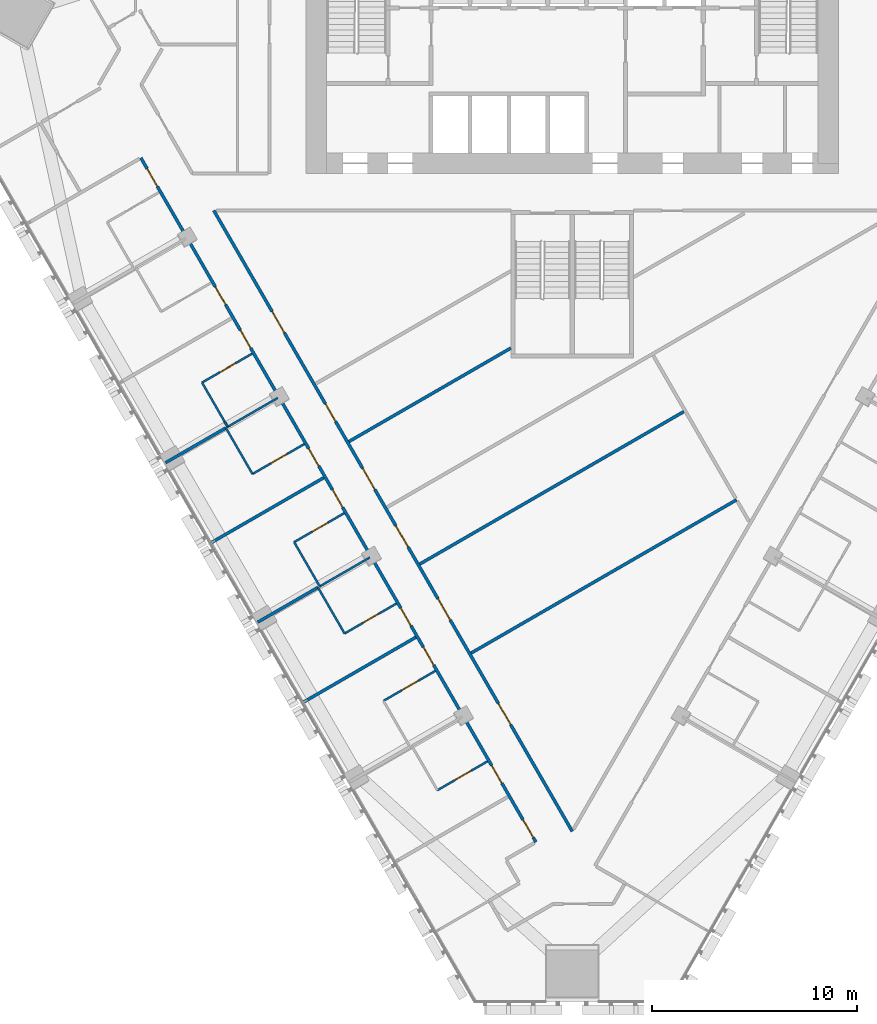
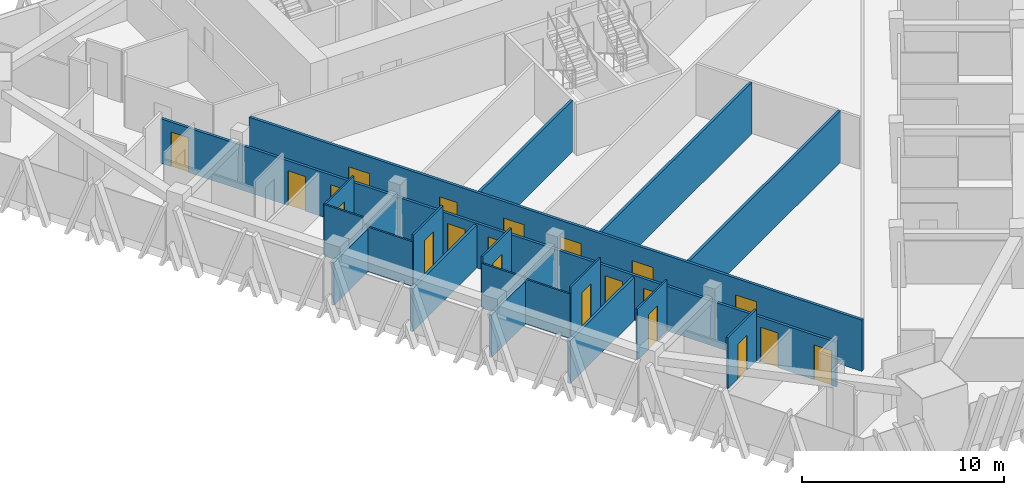
# One storey, part 10 of 18: 22 walls, 21 doors, 21 openings.
"""IFC4 building model written with IfcOpenShell, lengths in metres."""

from ifc_helpers import new_model, si_unit, direction, frame, frame_2d, origin, place, context, subcontext, project, spatial, rectangle, extrude, material, layer, layer_set, type_object, element, fill, save


model = new_model("IFC4")

# Units and contexts
model_context = context("Model", 3, precision=1e-05, world=origin(), true_north=direction((0.0, 1.0)))
body_context = subcontext(model_context, "Body", "Model", "MODEL_VIEW")
ifc_project = project(units=[si_unit("LENGTHUNIT", "METRE"), si_unit("AREAUNIT", "SQUARE_METRE"), si_unit("VOLUMEUNIT", "CUBIC_METRE"), si_unit("PLANEANGLEUNIT", "RADIAN"), si_unit("MASSUNIT", "GRAM", prefix="KILO")], contexts=[model_context])

# Site, building, storey
site_placement = place(None, origin())
site = spatial("IfcSite", under=ifc_project, at=site_placement, CompositionType="ELEMENT")
building_placement = place(site_placement, origin())
building = spatial("IfcBuilding", under=site, at=building_placement, Name="Altiplano Prism Tower", CompositionType="ELEMENT")
storey_placement = place(building_placement, frame((0.0, 0.0, 48.60009765625)))
storey = spatial("IfcBuildingStorey", under=building, at=storey_placement, Name="L11", CompositionType="ELEMENT", Elevation=48.60009765625)

# Walls
ifc_material_1 = material(Name="Plasterboard on steel stud", Category="steel")
ifc_layer_1 = layer(ifc_material_1, 0.10009765625)
ifc_layer_set_1 = layer_set([ifc_layer_1], Name="Plasterboard on steel stud")
wall_type_1 = type_object("IfcWallType", Name="Partition 100 unit", PredefinedType="PARTITIONING", material=ifc_layer_set_1)
wall_1_placement = place(storey_placement, frame((68.1611328125, 80.0283203125, 0.0), z_axis=(0.0, 0.0, 1.0), x_axis=(-0.500426713919, 0.865778900179, 0.0)))
element("IfcWall", 1, at=wall_1_placement, inside=storey, type_object=wall_type_1, Name="Partition P02 L11 057", PredefinedType="PARTITIONING", context=body_context, shape_type="SweptSolid", body=[
    extrude(rectangle(XDim=0.300048828125, YDim=0.10009765625, at=frame_2d((0.14990234375, 0.0))), origin(), (0.0, 0.0, 1.0), 2.699951171875),
])
wall_2_placement = place(storey_placement, frame((68.010986328125, 80.2880859375, 0.0), z_axis=(0.0, 0.0, 1.0), x_axis=(-0.499946605688, 0.86605622881, 0.0)))
element("IfcWall", 2, at=wall_2_placement, inside=storey, type_object=wall_type_1, Name="Partition P02 L11 058", PredefinedType="PARTITIONING", context=body_context, shape_type="SweptSolid", body=[
    extrude(rectangle(XDim=2.199951171875, YDim=0.10009765625, at=frame_2d((1.10009765625, 0.0))), origin(), (0.0, 0.0, 1.0), 3.099853515625),
])

# Wall, opening, door
wall_3_placement = place(storey_placement, frame((66.9111328125, 82.193359375, 0.0), z_axis=(0.0, 0.0, 1.0), x_axis=(0.866011447264, 0.500024172624, 0.0)))
wall_3 = element("IfcWall", 3, at=wall_3_placement, inside=storey, type_object=wall_type_1, Name="Partition P02 L11 059", PredefinedType="PARTITIONING", context=body_context, shape_type="SweptSolid", body=[
    extrude(rectangle(XDim=2.824951171875, YDim=0.10009765625, at=frame_2d((1.41259765625, 0.0))), origin(), (0.0, 0.0, 1.0), 3.099853515625),
])
opening_1_placement = place(wall_3_placement, frame((1.0, 0.0, 0.0)))
opening_1 = element("IfcOpeningElement", 4, at=opening_1_placement, cuts=wall_3, Name="Opening D0433", PredefinedType="OPENING", context=body_context, shape_type="SweptSolid", body=[
    extrude(rectangle(XDim=0.89990234375, YDim=2.10009765625, at=frame_2d((0.449951171875, 1.050048828125))), frame((0.0, 0.060546875, 0.0), z_axis=(0.0, -1.0, 0.0), x_axis=(1.0, 0.0, 0.0)), (0.0, 0.0, 1.0), 0.12109375),
])
ifc_material_2 = material(Name="Timber", Category="wood")
door_type_1 = type_object("IfcDoorType", Name="Ensuite door 900 x 2100", OperationType="NOTDEFINED", PredefinedType="NOTDEFINED", material=ifc_material_2)
door_1_placement = place(opening_1_placement, origin())
door_1 = element("IfcDoor", 5, at=door_1_placement, inside=storey, type_object=door_type_1, Name="Door D0433", OperationType="SINGLE_SWING_RIGHT", OverallHeight=2.10009765625, OverallWidth=0.89990234375, PredefinedType="NOTDEFINED", context=body_context, shape_type="SweptSolid", body=[
    extrude(rectangle(XDim=0.89990234375, YDim=2.10009765625, at=frame_2d((0.449951171875, 1.050048828125))), frame((0.0, 0.02490234375, 0.0), z_axis=(0.0, -1.0, 0.0), x_axis=(1.0, 0.0, 0.0)), (0.0, 0.0, 1.0), 0.050048828125),
])
fill(opening_1, door_1)

wall_4_placement = place(storey_placement, frame((71.90771484375, 79.189208984375, 0.0), z_axis=(0.0, 0.0, 1.0), x_axis=(-0.866046596414, -0.499963291492, 0.0)))
wall_4 = element("IfcWall", 6, at=wall_4_placement, inside=storey, type_object=wall_type_1, Name="Partition P02 L11 062", PredefinedType="PARTITIONING", context=body_context, shape_type="SweptSolid", body=[
    extrude(rectangle(XDim=2.925048828125, YDim=0.10009765625, at=frame_2d((1.46240234375, 0.0))), origin(), (0.0, 0.0, 1.0), 3.099853515625),
])
opening_2_placement = place(wall_4_placement, frame((0.97509765625, 0.0, 0.0)))
opening_2 = element("IfcOpeningElement", 7, at=opening_2_placement, cuts=wall_4, Name="Opening D0435", PredefinedType="OPENING", context=body_context, shape_type="SweptSolid", body=[
    extrude(rectangle(XDim=0.89990234375, YDim=2.10009765625, at=frame_2d((0.449951171875, 1.050048828125))), frame((0.0, 0.060546875, 0.0), z_axis=(0.0, -1.0, 0.0), x_axis=(1.0, 0.0, 0.0)), (0.0, 0.0, 1.0), 0.12109375),
])
door_2_placement = place(opening_2_placement, origin())
door_2 = element("IfcDoor", 8, at=door_2_placement, inside=storey, type_object=door_type_1, Name="Door D0435", OperationType="SINGLE_SWING_LEFT", OverallHeight=2.10009765625, OverallWidth=0.89990234375, PredefinedType="NOTDEFINED", context=body_context, shape_type="SweptSolid", body=[
    extrude(rectangle(XDim=0.89990234375, YDim=2.10009765625, at=frame_2d((0.449951171875, 1.050048828125))), frame((0.0, 0.02490234375, 0.0), z_axis=(0.0, -1.0, 0.0), x_axis=(1.0, 0.0, 0.0)), (0.0, 0.0, 1.0), 0.050048828125),
])
fill(opening_2, door_2)

# Walls
wall_5_placement = place(storey_placement, frame((69.37451171875, 77.726806640625, 0.0), z_axis=(0.0, 0.0, 1.0), x_axis=(-0.500047596559, 0.865997922154, 0.0)))
element("IfcWall", 9, at=wall_5_placement, inside=storey, type_object=wall_type_1, Name="Partition P02 L11 063", PredefinedType="PARTITIONING", context=body_context, shape_type="SweptSolid", body=[
    extrude(rectangle(XDim=2.599853515625, YDim=0.10009765625, at=frame_2d((1.2998046875, 0.0))), origin(), (0.0, 0.0, 1.0), 2.699951171875),
])
wall_6_placement = place(storey_placement, frame((72.6611328125, 72.234130859375, 0.0), z_axis=(0.0, 0.0, 1.0), x_axis=(-0.500004234368, 0.866022959057, 0.0)))
element("IfcWall", 10, at=wall_6_placement, inside=storey, type_object=wall_type_1, Name="Partition P02 L11 065", PredefinedType="PARTITIONING", context=body_context, shape_type="SweptSolid", body=[
    extrude(rectangle(XDim=2.5, YDim=0.10009765625, at=frame_2d((1.25, 0.0))), origin(), (0.0, 0.0, 1.0), 2.699951171875),
])

# Wall, opening, door
wall_7_placement = place(storey_placement, frame((71.4111328125, 74.399169921875, 0.0), z_axis=(0.0, 0.0, 1.0), x_axis=(0.866011447264, 0.500024172624, 0.0)))
wall_7 = element("IfcWall", 11, at=wall_7_placement, inside=storey, type_object=wall_type_1, Name="Partition P02 L11 066", PredefinedType="PARTITIONING", context=body_context, shape_type="SweptSolid", body=[
    extrude(rectangle(XDim=2.824951171875, YDim=0.10009765625, at=frame_2d((1.41259765625, 0.0))), origin(), (0.0, 0.0, 1.0), 3.099853515625),
])
opening_3_placement = place(wall_7_placement, frame((1.0, 0.0, 0.0)))
opening_3 = element("IfcOpeningElement", 12, at=opening_3_placement, cuts=wall_7, Name="Opening D0437", PredefinedType="OPENING", context=body_context, shape_type="SweptSolid", body=[
    extrude(rectangle(XDim=0.89990234375, YDim=2.10009765625, at=frame_2d((0.449951171875, 1.050048828125))), frame((0.0, 0.060546875, 0.0), z_axis=(0.0, -1.0, 0.0), x_axis=(1.0, 0.0, 0.0)), (0.0, 0.0, 1.0), 0.12109375),
])
door_3_placement = place(opening_3_placement, origin())
door_3 = element("IfcDoor", 13, at=door_3_placement, inside=storey, type_object=door_type_1, Name="Door D0437", OperationType="SINGLE_SWING_RIGHT", OverallHeight=2.10009765625, OverallWidth=0.89990234375, PredefinedType="NOTDEFINED", context=body_context, shape_type="SweptSolid", body=[
    extrude(rectangle(XDim=0.89990234375, YDim=2.10009765625, at=frame_2d((0.449951171875, 1.050048828125))), frame((0.0, 0.02490234375, 0.0), z_axis=(0.0, -1.0, 0.0), x_axis=(1.0, 0.0, 0.0)), (0.0, 0.0, 1.0), 0.050048828125),
])
fill(opening_3, door_3)

wall_8_placement = place(storey_placement, frame((76.40771484375, 71.39501953125, 0.0), z_axis=(0.0, 0.0, 1.0), x_axis=(-0.866046596414, -0.499963291492, 0.0)))
wall_8 = element("IfcWall", 14, at=wall_8_placement, inside=storey, type_object=wall_type_1, Name="Partition P02 L11 069", PredefinedType="PARTITIONING", context=body_context, shape_type="SweptSolid", body=[
    extrude(rectangle(XDim=2.925048828125, YDim=0.10009765625, at=frame_2d((1.46240234375, 0.0))), origin(), (0.0, 0.0, 1.0), 3.099853515625),
])
opening_4_placement = place(wall_8_placement, frame((0.97509765625, 0.0, 0.0)))
opening_4 = element("IfcOpeningElement", 15, at=opening_4_placement, cuts=wall_8, Name="Opening D0439", PredefinedType="OPENING", context=body_context, shape_type="SweptSolid", body=[
    extrude(rectangle(XDim=0.89990234375, YDim=2.10009765625, at=frame_2d((0.449951171875, 1.050048828125))), frame((0.0, 0.060546875, 0.0), z_axis=(0.0, -1.0, 0.0), x_axis=(1.0, 0.0, 0.0)), (0.0, 0.0, 1.0), 0.12109375),
])
door_4_placement = place(opening_4_placement, origin())
door_4 = element("IfcDoor", 16, at=door_4_placement, inside=storey, type_object=door_type_1, Name="Door D0439", OperationType="SINGLE_SWING_RIGHT", OverallHeight=2.10009765625, OverallWidth=0.89990234375, PredefinedType="NOTDEFINED", context=body_context, shape_type="SweptSolid", body=[
    extrude(rectangle(XDim=0.89990234375, YDim=2.10009765625, at=frame_2d((0.449951171875, 1.050048828125))), frame((0.0, 0.02490234375, 0.0), z_axis=(0.0, -1.0, 0.0), x_axis=(1.0, 0.0, 0.0)), (0.0, 0.0, 1.0), 0.050048828125),
])
fill(opening_4, door_4)

# Wall
wall_9_placement = place(storey_placement, frame((73.87451171875, 69.9326171875, 0.0), z_axis=(0.0, 0.0, 1.0), x_axis=(-0.500047596559, 0.865997922154, 0.0)))
element("IfcWall", 17, at=wall_9_placement, inside=storey, type_object=wall_type_1, Name="Partition P02 L11 070", PredefinedType="PARTITIONING", context=body_context, shape_type="SweptSolid", body=[
    extrude(rectangle(XDim=2.599853515625, YDim=0.10009765625, at=frame_2d((1.2998046875, 0.0))), origin(), (0.0, 0.0, 1.0), 2.699951171875),
])

# Wall, opening, door
wall_10_placement = place(storey_placement, frame((75.7744140625, 66.6416015625, 0.0), z_axis=(0.0, 0.0, 1.0), x_axis=(0.866046596414, 0.499963291492, 0.0)))
wall_10 = element("IfcWall", 18, at=wall_10_placement, inside=storey, type_object=wall_type_1, Name="Partition P02 L11 073", PredefinedType="PARTITIONING", context=body_context, shape_type="SweptSolid", body=[
    extrude(rectangle(XDim=2.925048828125, YDim=0.10009765625, at=frame_2d((1.46240234375, 0.0))), origin(), (0.0, 0.0, 1.0), 3.099853515625),
])
opening_5_placement = place(wall_10_placement, frame((1.050048828125, 0.0, 0.0)))
opening_5 = element("IfcOpeningElement", 19, at=opening_5_placement, cuts=wall_10, Name="Opening D0441", PredefinedType="OPENING", context=body_context, shape_type="SweptSolid", body=[
    extrude(rectangle(XDim=0.89990234375, YDim=2.10009765625, at=frame_2d((0.449951171875, 1.050048828125))), frame((0.0, 0.060546875, 0.0), z_axis=(0.0, -1.0, 0.0), x_axis=(1.0, 0.0, 0.0)), (0.0, 0.0, 1.0), 0.12109375),
])
door_5_placement = place(opening_5_placement, origin())
door_5 = element("IfcDoor", 20, at=door_5_placement, inside=storey, type_object=door_type_1, Name="Door D0441", OperationType="SINGLE_SWING_RIGHT", OverallHeight=2.10009765625, OverallWidth=0.89990234375, PredefinedType="NOTDEFINED", context=body_context, shape_type="SweptSolid", body=[
    extrude(rectangle(XDim=0.89990234375, YDim=2.10009765625, at=frame_2d((0.449951171875, 1.050048828125))), frame((0.0, 0.02490234375, 0.0), z_axis=(0.0, -1.0, 0.0), x_axis=(1.0, 0.0, 0.0)), (0.0, 0.0, 1.0), 0.050048828125),
])
fill(opening_5, door_5)

wall_11_placement = place(storey_placement, frame((80.857666015625, 63.687255859375, 0.0), z_axis=(0.0, 0.0, 1.0), x_axis=(-0.866048868473, -0.499959355765, 0.0)))
wall_11 = element("IfcWall", 21, at=wall_11_placement, inside=storey, type_object=wall_type_1, Name="Partition P02 L11 076", PredefinedType="PARTITIONING", context=body_context, shape_type="SweptSolid", body=[
    extrude(rectangle(XDim=2.824951171875, YDim=0.10009765625, at=frame_2d((1.41259765625, 0.0))), origin(), (0.0, 0.0, 1.0), 3.099853515625),
])
opening_6_placement = place(wall_11_placement, frame((0.925048828125, 0.0, 0.0)))
opening_6 = element("IfcOpeningElement", 22, at=opening_6_placement, cuts=wall_11, Name="Opening D0443", PredefinedType="OPENING", context=body_context, shape_type="SweptSolid", body=[
    extrude(rectangle(XDim=0.89990234375, YDim=2.10009765625, at=frame_2d((0.449951171875, 1.050048828125))), frame((0.0, 0.060546875, 0.0), z_axis=(0.0, -1.0, 0.0), x_axis=(1.0, 0.0, 0.0)), (0.0, 0.0, 1.0), 0.12109375),
])
door_6_placement = place(opening_6_placement, origin())
door_6 = element("IfcDoor", 23, at=door_6_placement, inside=storey, type_object=door_type_1, Name="Door D0443", OperationType="SINGLE_SWING_RIGHT", OverallHeight=2.10009765625, OverallWidth=0.89990234375, PredefinedType="NOTDEFINED", context=body_context, shape_type="SweptSolid", body=[
    extrude(rectangle(XDim=0.89990234375, YDim=2.10009765625, at=frame_2d((0.449951171875, 1.050048828125))), frame((0.0, 0.02490234375, 0.0), z_axis=(0.0, -1.0, 0.0), x_axis=(1.0, 0.0, 0.0)), (0.0, 0.0, 1.0), 0.050048828125),
])
fill(opening_6, door_6)

# Walls
ifc_layer_2 = layer(ifc_material_1, 0.10009765625)
ifc_layer_set_2 = layer_set([ifc_layer_2], Name="Plasterboard on steel stud")
wall_type_2 = type_object("IfcWallType", Name="Partition 100 wet", PredefinedType="PARTITIONING", material=ifc_layer_set_2)
for number, where, z_axis, x_axis, name in (
    (24, (68.143798828125, 80.018310546875, 0.0), (0.0, 0.0, 1.0), (0.866011243319, 0.500024525844, 0.0), "Partition P03 L11 061"),
    (25, (72.643798828125, 72.22412109375, 0.0), (0.0, 0.0, 1.0), (0.866011243319, 0.500024525844, 0.0), "Partition P03 L11 068"),
):
    element("IfcWall", number, at=place(storey_placement, frame(where, z_axis=z_axis, x_axis=x_axis)), inside=storey, type_object=wall_type_2, Name=name, PredefinedType="PARTITIONING", context=body_context, shape_type="SweptSolid", body=[
        extrude(rectangle(XDim=2.844970703125, YDim=0.10009765625, at=frame_2d((1.42236328125, 0.0))), origin(), (0.0, 0.0, 1.0), 2.699951171875),
    ])

# Wall, openings, doors
ifc_layer_3 = layer(ifc_material_1, 0.14990234375)
ifc_layer_set_3 = layer_set([ifc_layer_3], Name="Plasterboard on steel stud")
wall_type_3 = type_object("IfcWallType", Name="Partition 150 corridor", PredefinedType="PARTITIONING", material=ifc_layer_set_3)
wall_12_placement = place(storey_placement, frame((63.922607421875, 93.169677734375, 0.0), z_axis=(0.0, 0.0, 1.0), x_axis=(0.500002225217, -0.866024119051, 0.0)))
wall_12 = element("IfcWall", 26, at=wall_12_placement, inside=storey, type_object=wall_type_3, Name="Partition P06 L11 015", PredefinedType="PARTITIONING", context=body_context, shape_type="SweptSolid", body=[
    extrude(rectangle(XDim=38.599853515625, YDim=0.14990234375, at=frame_2d((19.2998046875, 0.0))), origin(), (0.0, 0.0, 1.0), 2.699951171875),
])
opening_7_placement = place(wall_12_placement, frame((0.60498046875, 0.0, 0.0)))
opening_7 = element("IfcOpeningElement", 27, at=opening_7_placement, cuts=wall_12, Name="Opening D0428", PredefinedType="OPENING", context=body_context, shape_type="SweptSolid", body=[
    extrude(rectangle(XDim=1.0, YDim=2.10009765625, at=frame_2d((0.5, 1.050048828125))), frame((0.0, 0.08544921875, 0.0), z_axis=(0.0, -1.0, 0.0), x_axis=(1.0, 0.0, 0.0)), (0.0, 0.0, 1.0), 0.1708984375),
])
opening_8_placement = place(wall_12_placement, frame((7.280029296875, 0.0, 0.0)))
opening_8 = element("IfcOpeningElement", 28, at=opening_8_placement, cuts=wall_12, Name="Opening D0430", PredefinedType="OPENING", context=body_context, shape_type="SweptSolid", body=[
    extrude(rectangle(XDim=1.0, YDim=2.10009765625, at=frame_2d((0.5, 1.050048828125))), frame((0.0, 0.08544921875, 0.0), z_axis=(0.0, -1.0, 0.0), x_axis=(1.0, 0.0, 0.0)), (0.0, 0.0, 1.0), 0.1708984375),
])
opening_9_placement = place(wall_12_placement, frame((9.719970703125, 0.0, 0.0)))
opening_9 = element("IfcOpeningElement", 29, at=opening_9_placement, cuts=wall_12, Name="Opening D0432", PredefinedType="OPENING", context=body_context, shape_type="SweptSolid", body=[
    extrude(rectangle(XDim=1.0, YDim=2.10009765625, at=frame_2d((0.5, 1.050048828125))), frame((0.0, 0.08544921875, 0.0), z_axis=(0.0, -1.0, 0.0), x_axis=(1.0, 0.0, 0.0)), (0.0, 0.0, 1.0), 0.1708984375),
])
opening_10_placement = place(wall_12_placement, frame((16.39501953125, 0.0, 0.0)))
opening_10 = element("IfcOpeningElement", 30, at=opening_10_placement, cuts=wall_12, Name="Opening D0434", PredefinedType="OPENING", context=body_context, shape_type="SweptSolid", body=[
    extrude(rectangle(XDim=1.0, YDim=2.10009765625, at=frame_2d((0.5, 1.050048828125))), frame((0.0, 0.08544921875, 0.0), z_axis=(0.0, -1.0, 0.0), x_axis=(1.0, 0.0, 0.0)), (0.0, 0.0, 1.0), 0.1708984375),
])
opening_11_placement = place(wall_12_placement, frame((18.719970703125, 0.0, 0.0)))
opening_11 = element("IfcOpeningElement", 31, at=opening_11_placement, cuts=wall_12, Name="Opening D0436", PredefinedType="OPENING", context=body_context, shape_type="SweptSolid", body=[
    extrude(rectangle(XDim=1.0, YDim=2.10009765625, at=frame_2d((0.5, 1.050048828125))), frame((0.0, 0.08544921875, 0.0), z_axis=(0.0, -1.0, 0.0), x_axis=(1.0, 0.0, 0.0)), (0.0, 0.0, 1.0), 0.1708984375),
])
opening_12_placement = place(wall_12_placement, frame((25.39501953125, 0.0, 0.0)))
opening_12 = element("IfcOpeningElement", 32, at=opening_12_placement, cuts=wall_12, Name="Opening D0438", PredefinedType="OPENING", context=body_context, shape_type="SweptSolid", body=[
    extrude(rectangle(XDim=1.0, YDim=2.10009765625, at=frame_2d((0.5, 1.050048828125))), frame((0.0, 0.08544921875, 0.0), z_axis=(0.0, -1.0, 0.0), x_axis=(1.0, 0.0, 0.0)), (0.0, 0.0, 1.0), 0.1708984375),
])
opening_13_placement = place(wall_12_placement, frame((27.60498046875, 0.0, 0.0)))
opening_13 = element("IfcOpeningElement", 33, at=opening_13_placement, cuts=wall_12, Name="Opening D0440", PredefinedType="OPENING", context=body_context, shape_type="SweptSolid", body=[
    extrude(rectangle(XDim=1.0, YDim=2.10009765625, at=frame_2d((0.5, 1.050048828125))), frame((0.0, 0.08544921875, 0.0), z_axis=(0.0, -1.0, 0.0), x_axis=(1.0, 0.0, 0.0)), (0.0, 0.0, 1.0), 0.1708984375),
])
opening_14_placement = place(wall_12_placement, frame((34.280029296875, 0.0, 0.0)))
opening_14 = element("IfcOpeningElement", 34, at=opening_14_placement, cuts=wall_12, Name="Opening D0442", PredefinedType="OPENING", context=body_context, shape_type="SweptSolid", body=[
    extrude(rectangle(XDim=1.0, YDim=2.10009765625, at=frame_2d((0.5, 1.050048828125))), frame((0.0, 0.08544921875, 0.0), z_axis=(0.0, -1.0, 0.0), x_axis=(1.0, 0.0, 0.0)), (0.0, 0.0, 1.0), 0.1708984375),
])
opening_15_placement = place(wall_12_placement, frame((37.342041015625, 0.0, 0.0)))
opening_15 = element("IfcOpeningElement", 35, at=opening_15_placement, cuts=wall_12, Name="Opening D0444", PredefinedType="OPENING", context=body_context, shape_type="SweptSolid", body=[
    extrude(rectangle(XDim=1.0, YDim=2.10009765625, at=frame_2d((0.5, 1.050048828125))), frame((0.0, 0.08544921875, 0.0), z_axis=(0.0, -1.0, 0.0), x_axis=(1.0, 0.0, 0.0)), (0.0, 0.0, 1.0), 0.1708984375),
])
door_type_2 = type_object("IfcDoorType", Name="Bedroom entrance door 1000 x 2100", OperationType="NOTDEFINED", PredefinedType="NOTDEFINED", material=ifc_material_2)
door_7_placement = place(opening_7_placement, origin())
door_7 = element("IfcDoor", 36, at=door_7_placement, inside=storey, type_object=door_type_2, Name="Door D0428", OperationType="SINGLE_SWING_RIGHT", OverallHeight=2.10009765625, OverallWidth=1.0, PredefinedType="NOTDEFINED", context=body_context, shape_type="SweptSolid", body=[
    extrude(rectangle(XDim=1.0, YDim=2.10009765625, at=frame_2d((0.5, 1.050048828125))), frame((0.0, 0.02490234375, 0.0), z_axis=(0.0, -1.0, 0.0), x_axis=(1.0, 0.0, 0.0)), (0.0, 0.0, 1.0), 0.050048828125),
])
fill(opening_7, door_7)
door_8_placement = place(opening_8_placement, origin())
door_8 = element("IfcDoor", 37, at=door_8_placement, inside=storey, type_object=door_type_2, Name="Door D0430", OperationType="SINGLE_SWING_RIGHT", OverallHeight=2.10009765625, OverallWidth=1.0, PredefinedType="NOTDEFINED", context=body_context, shape_type="SweptSolid", body=[
    extrude(rectangle(XDim=1.0, YDim=2.10009765625, at=frame_2d((0.5, 1.050048828125))), frame((0.0, 0.02490234375, 0.0), z_axis=(0.0, -1.0, 0.0), x_axis=(1.0, 0.0, 0.0)), (0.0, 0.0, 1.0), 0.050048828125),
])
fill(opening_8, door_8)
door_9_placement = place(opening_9_placement, origin())
door_9 = element("IfcDoor", 38, at=door_9_placement, inside=storey, type_object=door_type_2, Name="Door D0432", OperationType="SINGLE_SWING_RIGHT", OverallHeight=2.10009765625, OverallWidth=1.0, PredefinedType="NOTDEFINED", context=body_context, shape_type="SweptSolid", body=[
    extrude(rectangle(XDim=1.0, YDim=2.10009765625, at=frame_2d((0.5, 1.050048828125))), frame((0.0, 0.02490234375, 0.0), z_axis=(0.0, -1.0, 0.0), x_axis=(1.0, 0.0, 0.0)), (0.0, 0.0, 1.0), 0.050048828125),
])
fill(opening_9, door_9)
door_10_placement = place(opening_10_placement, origin())
door_10 = element("IfcDoor", 39, at=door_10_placement, inside=storey, type_object=door_type_2, Name="Door D0434", OperationType="SINGLE_SWING_RIGHT", OverallHeight=2.10009765625, OverallWidth=1.0, PredefinedType="NOTDEFINED", context=body_context, shape_type="SweptSolid", body=[
    extrude(rectangle(XDim=1.0, YDim=2.10009765625, at=frame_2d((0.5, 1.050048828125))), frame((0.0, 0.02490234375, 0.0), z_axis=(0.0, -1.0, 0.0), x_axis=(1.0, 0.0, 0.0)), (0.0, 0.0, 1.0), 0.050048828125),
])
fill(opening_10, door_10)
door_11_placement = place(opening_11_placement, origin())
door_11 = element("IfcDoor", 40, at=door_11_placement, inside=storey, type_object=door_type_2, Name="Door D0436", OperationType="SINGLE_SWING_LEFT", OverallHeight=2.10009765625, OverallWidth=1.0, PredefinedType="NOTDEFINED", context=body_context, shape_type="SweptSolid", body=[
    extrude(rectangle(XDim=1.0, YDim=2.10009765625, at=frame_2d((0.5, 1.050048828125))), frame((0.0, 0.02490234375, 0.0), z_axis=(0.0, -1.0, 0.0), x_axis=(1.0, 0.0, 0.0)), (0.0, 0.0, 1.0), 0.050048828125),
])
fill(opening_11, door_11)
door_12_placement = place(opening_12_placement, origin())
door_12 = element("IfcDoor", 41, at=door_12_placement, inside=storey, type_object=door_type_2, Name="Door D0438", OperationType="SINGLE_SWING_RIGHT", OverallHeight=2.10009765625, OverallWidth=1.0, PredefinedType="NOTDEFINED", context=body_context, shape_type="SweptSolid", body=[
    extrude(rectangle(XDim=1.0, YDim=2.10009765625, at=frame_2d((0.5, 1.050048828125))), frame((0.0, 0.02490234375, 0.0), z_axis=(0.0, -1.0, 0.0), x_axis=(1.0, 0.0, 0.0)), (0.0, 0.0, 1.0), 0.050048828125),
])
fill(opening_12, door_12)
door_13_placement = place(opening_13_placement, origin())
door_13 = element("IfcDoor", 42, at=door_13_placement, inside=storey, type_object=door_type_2, Name="Door D0440", OperationType="SINGLE_SWING_LEFT", OverallHeight=2.10009765625, OverallWidth=1.0, PredefinedType="NOTDEFINED", context=body_context, shape_type="SweptSolid", body=[
    extrude(rectangle(XDim=1.0, YDim=2.10009765625, at=frame_2d((0.5, 1.050048828125))), frame((0.0, 0.02490234375, 0.0), z_axis=(0.0, -1.0, 0.0), x_axis=(1.0, 0.0, 0.0)), (0.0, 0.0, 1.0), 0.050048828125),
])
fill(opening_13, door_13)
door_14_placement = place(opening_14_placement, origin())
door_14 = element("IfcDoor", 43, at=door_14_placement, inside=storey, type_object=door_type_2, Name="Door D0442", OperationType="SINGLE_SWING_LEFT", OverallHeight=2.10009765625, OverallWidth=1.0, PredefinedType="NOTDEFINED", context=body_context, shape_type="SweptSolid", body=[
    extrude(rectangle(XDim=1.0, YDim=2.10009765625, at=frame_2d((0.5, 1.050048828125))), frame((0.0, 0.02490234375, 0.0), z_axis=(0.0, -1.0, 0.0), x_axis=(1.0, 0.0, 0.0)), (0.0, 0.0, 1.0), 0.050048828125),
])
fill(opening_14, door_14)
door_type_3 = type_object("IfcDoorType", Name="Room door 1000 x 2100", OperationType="NOTDEFINED", PredefinedType="NOTDEFINED", material=ifc_material_2)
door_15_placement = place(opening_15_placement, origin())
door_15 = element("IfcDoor", 44, at=door_15_placement, inside=storey, type_object=door_type_3, Name="Door D0444", OperationType="SINGLE_SWING_RIGHT", OverallHeight=2.10009765625, OverallWidth=1.0, PredefinedType="NOTDEFINED", context=body_context, shape_type="SweptSolid", body=[
    extrude(rectangle(XDim=1.0, YDim=2.10009765625, at=frame_2d((0.5, 1.050048828125))), frame((0.0, 0.02490234375, 0.0), z_axis=(0.0, -1.0, 0.0), x_axis=(1.0, 0.0, 0.0)), (0.0, 0.0, 1.0), 0.050048828125),
])
fill(opening_15, door_15)

wall_13_placement = place(storey_placement, frame((85.0, 60.262451171875, 0.0), z_axis=(0.0, 0.0, 1.0), x_axis=(-0.499998554739, 0.866026238205, 0.0)))
wall_13 = element("IfcWall", 45, at=wall_13_placement, inside=storey, type_object=wall_type_3, Name="Partition P06 L11 040", PredefinedType="PARTITIONING", context=body_context, shape_type="SweptSolid", body=[
    extrude(rectangle(XDim=35.03076171875, YDim=0.14990234375, at=frame_2d((17.515380859375, 0.0))), origin(), (0.0, 0.0, 1.0), 3.099853515625),
])
opening_16_placement = place(wall_13_placement, frame((6.02587890625, 0.0, 0.0)))
opening_16 = element("IfcOpeningElement", 46, at=opening_16_placement, cuts=wall_13, Name="Opening D0464", PredefinedType="OPENING", context=body_context, shape_type="SweptSolid", body=[
    extrude(rectangle(XDim=1.199951171875, YDim=2.10009765625, at=frame_2d((0.60009765625, 1.050048828125))), frame((0.0, 0.08544921875, 0.0), z_axis=(0.0, -1.0, 0.0), x_axis=(1.0, 0.0, 0.0)), (0.0, 0.0, 1.0), 0.1708984375),
])
opening_17_placement = place(wall_13_placement, frame((19.294921875, 0.0, 0.0)))
opening_17 = element("IfcOpeningElement", 47, at=opening_17_placement, cuts=wall_13, Name="Opening D0465", PredefinedType="OPENING", context=body_context, shape_type="SweptSolid", body=[
    extrude(rectangle(XDim=1.199951171875, YDim=2.10009765625, at=frame_2d((0.60009765625, 1.050048828125))), frame((0.0, 0.08544921875, 0.0), z_axis=(0.0, -1.0, 0.0), x_axis=(1.0, 0.0, 0.0)), (0.0, 0.0, 1.0), 0.1708984375),
])
opening_18_placement = place(wall_13_placement, frame((28.1259765625, 0.0, 0.0)))
opening_18 = element("IfcOpeningElement", 48, at=opening_18_placement, cuts=wall_13, Name="Opening D0467", PredefinedType="OPENING", context=body_context, shape_type="SweptSolid", body=[
    extrude(rectangle(XDim=1.199951171875, YDim=2.10009765625, at=frame_2d((0.60009765625, 1.050048828125))), frame((0.0, 0.08544921875, 0.0), z_axis=(0.0, -1.0, 0.0), x_axis=(1.0, 0.0, 0.0)), (0.0, 0.0, 1.0), 0.1708984375),
])
opening_19_placement = place(wall_13_placement, frame((11.927001953125, 0.0, 0.0)))
opening_19 = element("IfcOpeningElement", 49, at=opening_19_placement, cuts=wall_13, Name="Opening D0468", PredefinedType="OPENING", context=body_context, shape_type="SweptSolid", body=[
    extrude(rectangle(XDim=1.199951171875, YDim=2.10009765625, at=frame_2d((0.60009765625, 1.050048828125))), frame((0.0, 0.08544921875, 0.0), z_axis=(0.0, -1.0, 0.0), x_axis=(1.0, 0.0, 0.0)), (0.0, 0.0, 1.0), 0.1708984375),
])
opening_20_placement = place(wall_13_placement, frame((16.0390625, 0.0, 0.0)))
opening_20 = element("IfcOpeningElement", 50, at=opening_20_placement, cuts=wall_13, Name="Opening D0469", PredefinedType="OPENING", context=body_context, shape_type="SweptSolid", body=[
    extrude(rectangle(XDim=1.199951171875, YDim=2.10009765625, at=frame_2d((0.60009765625, 1.050048828125))), frame((0.0, 0.08544921875, 0.0), z_axis=(0.0, -1.0, 0.0), x_axis=(1.0, 0.0, 0.0)), (0.0, 0.0, 1.0), 0.1708984375),
])
opening_21_placement = place(wall_13_placement, frame((23.133056640625, 0.0, 0.0)))
opening_21 = element("IfcOpeningElement", 51, at=opening_21_placement, cuts=wall_13, Name="Opening D0470", PredefinedType="OPENING", context=body_context, shape_type="SweptSolid", body=[
    extrude(rectangle(XDim=1.0, YDim=2.10009765625, at=frame_2d((0.5, 1.050048828125))), frame((0.0, 0.08544921875, 0.0), z_axis=(0.0, -1.0, 0.0), x_axis=(1.0, 0.0, 0.0)), (0.0, 0.0, 1.0), 0.1708984375),
])
door_16_placement = place(opening_21_placement, origin())
door_16 = element("IfcDoor", 52, at=door_16_placement, inside=storey, type_object=door_type_3, Name="Door D0470", OperationType="SINGLE_SWING_RIGHT", OverallHeight=2.10009765625, OverallWidth=1.0, PredefinedType="NOTDEFINED", context=body_context, shape_type="SweptSolid", body=[
    extrude(rectangle(XDim=1.0, YDim=2.10009765625, at=frame_2d((0.5, 1.050048828125))), frame((0.0, 0.02490234375, 0.0), z_axis=(0.0, -1.0, 0.0), x_axis=(1.0, 0.0, 0.0)), (0.0, 0.0, 1.0), 0.050048828125),
])
fill(opening_21, door_16)
door_type_4 = type_object("IfcDoorType", Name="Shared room door 1200 x 2100", OperationType="NOTDEFINED", PredefinedType="NOTDEFINED", material=ifc_material_2)
door_17_placement = place(opening_16_placement, origin())
door_17 = element("IfcDoor", 53, at=door_17_placement, inside=storey, type_object=door_type_4, Name="Door D0464", OperationType="SINGLE_SWING_LEFT", OverallHeight=2.10009765625, OverallWidth=1.199951171875, PredefinedType="NOTDEFINED", context=body_context, shape_type="SweptSolid", body=[
    extrude(rectangle(XDim=1.199951171875, YDim=2.10009765625, at=frame_2d((0.60009765625, 1.050048828125))), frame((0.0, 0.02490234375, 0.0), z_axis=(0.0, -1.0, 0.0), x_axis=(1.0, 0.0, 0.0)), (0.0, 0.0, 1.0), 0.050048828125),
])
fill(opening_16, door_17)
door_18_placement = place(opening_17_placement, origin())
door_18 = element("IfcDoor", 54, at=door_18_placement, inside=storey, type_object=door_type_4, Name="Door D0465", OperationType="SINGLE_SWING_LEFT", OverallHeight=2.10009765625, OverallWidth=1.199951171875, PredefinedType="NOTDEFINED", context=body_context, shape_type="SweptSolid", body=[
    extrude(rectangle(XDim=1.199951171875, YDim=2.10009765625, at=frame_2d((0.60009765625, 1.050048828125))), frame((0.0, 0.02490234375, 0.0), z_axis=(0.0, -1.0, 0.0), x_axis=(1.0, 0.0, 0.0)), (0.0, 0.0, 1.0), 0.050048828125),
])
fill(opening_17, door_18)
door_19_placement = place(opening_18_placement, origin())
door_19 = element("IfcDoor", 55, at=door_19_placement, inside=storey, type_object=door_type_4, Name="Door D0467", OperationType="SINGLE_SWING_LEFT", OverallHeight=2.10009765625, OverallWidth=1.199951171875, PredefinedType="NOTDEFINED", context=body_context, shape_type="SweptSolid", body=[
    extrude(rectangle(XDim=1.199951171875, YDim=2.10009765625, at=frame_2d((0.60009765625, 1.050048828125))), frame((0.0, 0.02490234375, 0.0), z_axis=(0.0, -1.0, 0.0), x_axis=(1.0, 0.0, 0.0)), (0.0, 0.0, 1.0), 0.050048828125),
])
fill(opening_18, door_19)
door_20_placement = place(opening_19_placement, origin())
door_20 = element("IfcDoor", 56, at=door_20_placement, inside=storey, type_object=door_type_4, Name="Door D0468", OperationType="SINGLE_SWING_RIGHT", OverallHeight=2.10009765625, OverallWidth=1.199951171875, PredefinedType="NOTDEFINED", context=body_context, shape_type="SweptSolid", body=[
    extrude(rectangle(XDim=1.199951171875, YDim=2.10009765625, at=frame_2d((0.60009765625, 1.050048828125))), frame((0.0, 0.02490234375, 0.0), z_axis=(0.0, -1.0, 0.0), x_axis=(1.0, 0.0, 0.0)), (0.0, 0.0, 1.0), 0.050048828125),
])
fill(opening_19, door_20)
door_21_placement = place(opening_20_placement, origin())
door_21 = element("IfcDoor", 57, at=door_21_placement, inside=storey, type_object=door_type_4, Name="Door D0469", OperationType="SINGLE_SWING_LEFT", OverallHeight=2.10009765625, OverallWidth=1.199951171875, PredefinedType="NOTDEFINED", context=body_context, shape_type="SweptSolid", body=[
    extrude(rectangle(XDim=1.199951171875, YDim=2.10009765625, at=frame_2d((0.60009765625, 1.050048828125))), frame((0.0, 0.02490234375, 0.0), z_axis=(0.0, -1.0, 0.0), x_axis=(1.0, 0.0, 0.0)), (0.0, 0.0, 1.0), 0.050048828125),
])
fill(opening_20, door_21)

# Walls
ifc_layer_4 = layer(ifc_material_1, 0.14990234375)
ifc_layer_set_4 = layer_set([ifc_layer_4], Name="Plasterboard on steel stud")
wall_type_4 = type_object("IfcWallType", Name="Partition 150 party", PredefinedType="PARTITIONING", material=ifc_layer_set_4)
wall_14_placement = place(storey_placement, frame((65.130126953125, 78.2783203125, 0.0), z_axis=(0.0, 0.0, 1.0), x_axis=(0.866020560687, 0.500008388397, 0.0)))
element("IfcWall", 58, at=wall_14_placement, inside=storey, type_object=wall_type_4, Name="Partition P01 L11 060", PredefinedType="PARTITIONING", context=body_context, shape_type="SweptSolid", body=[
    extrude(rectangle(XDim=3.39990234375, YDim=0.14990234375, at=frame_2d((1.699951171875, 0.0))), origin(), (0.0, 0.0, 1.0), 2.599853515625),
])
wall_15_placement = place(storey_placement, frame((67.362548828125, 74.37109375, 0.0), z_axis=(0.0, 0.0, 1.0), x_axis=(0.866025401434, 0.500000004071, 0.0)))
element("IfcWall", 59, at=wall_15_placement, inside=storey, type_object=wall_type_4, Name="Partition P01 L11 064", PredefinedType="PARTITIONING", context=body_context, shape_type="SweptSolid", body=[
    extrude(rectangle(XDim=6.34521484375, YDim=0.14990234375, at=frame_2d((3.172607421875, 0.0))), origin(), (0.0, 0.0, 1.0), 2.599853515625),
])
wall_16_placement = place(storey_placement, frame((69.630126953125, 70.484130859375, 0.0), z_axis=(0.0, 0.0, 1.0), x_axis=(0.866020560687, 0.500008388397, 0.0)))
element("IfcWall", 60, at=wall_16_placement, inside=storey, type_object=wall_type_4, Name="Partition P01 L11 067", PredefinedType="PARTITIONING", context=body_context, shape_type="SweptSolid", body=[
    extrude(rectangle(XDim=3.39990234375, YDim=0.14990234375, at=frame_2d((1.699951171875, 0.0))), origin(), (0.0, 0.0, 1.0), 2.599853515625),
])
wall_17_placement = place(storey_placement, frame((71.862548828125, 66.576904296875, 0.0), z_axis=(0.0, 0.0, 1.0), x_axis=(0.866025401434, 0.500000004071, 0.0)))
element("IfcWall", 61, at=wall_17_placement, inside=storey, type_object=wall_type_4, Name="Partition P01 L11 071", PredefinedType="PARTITIONING", context=body_context, shape_type="SweptSolid", body=[
    extrude(rectangle(XDim=6.34521484375, YDim=0.14990234375, at=frame_2d((3.172607421875, 0.0))), origin(), (0.0, 0.0, 1.0), 2.599853515625),
])
wall_18_placement = place(storey_placement, frame((93.027099609375, 76.463623046875, 0.0), z_axis=(0.0, 0.0, 1.0), x_axis=(-0.866028686662, -0.499994313846, 0.0)))
element("IfcWall", 62, at=wall_18_placement, inside=storey, type_object=wall_type_4, Name="Partition P01 L11 107", PredefinedType="PARTITIONING", context=body_context, shape_type="SweptSolid", body=[
    extrude(rectangle(XDim=14.977294921875, YDim=0.14990234375, at=frame_2d((7.48876953125, 0.0))), origin(), (0.0, 0.0, 1.0), 3.099853515625),
])
wall_19_placement = place(storey_placement, frame((82.0, 83.87890625, 0.0), z_axis=(0.0, 0.0, 1.0), x_axis=(-0.866037386495, -0.499979244763, 0.0)))
element("IfcWall", 63, at=wall_19_placement, inside=storey, type_object=wall_type_4, Name="Partition P01 L11 109", PredefinedType="PARTITIONING", context=body_context, shape_type="SweptSolid", body=[
    extrude(rectangle(XDim=9.13525390625, YDim=0.14990234375, at=frame_2d((4.567626953125, 0.0))), origin(), (0.0, 0.0, 1.0), 3.099853515625),
])
wall_20_placement = place(storey_placement, frame((90.45166015625, 80.7744140625, 0.0), z_axis=(0.0, 0.0, 1.0), x_axis=(-0.866020527158, -0.50000844647, 0.0)))
element("IfcWall", 64, at=wall_20_placement, inside=storey, type_object=wall_type_4, Name="Partition P01 L11 113", PredefinedType="PARTITIONING", context=body_context, shape_type="SweptSolid", body=[
    extrude(rectangle(XDim=14.902099609375, YDim=0.14990234375, at=frame_2d((7.451171875, 0.0))), origin(), (0.0, 0.0, 1.0), 3.099853515625),
])

save(model, "model.ifc")
